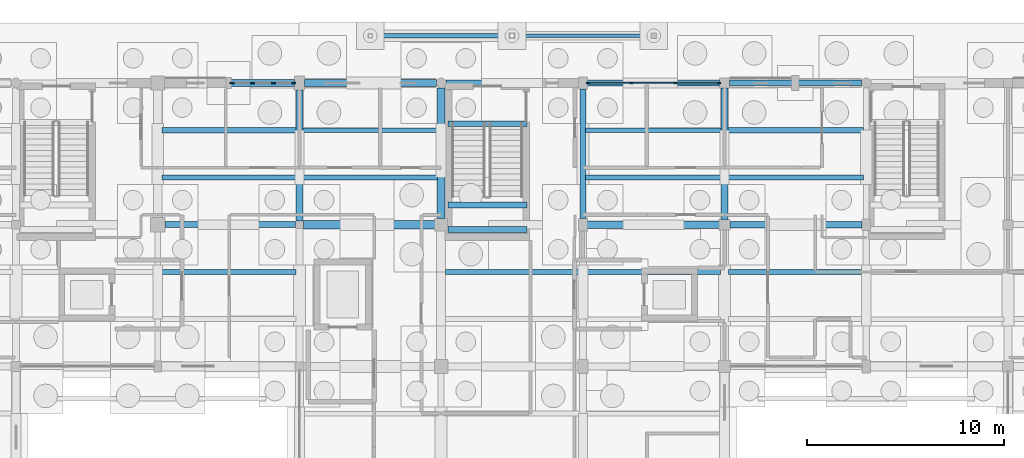
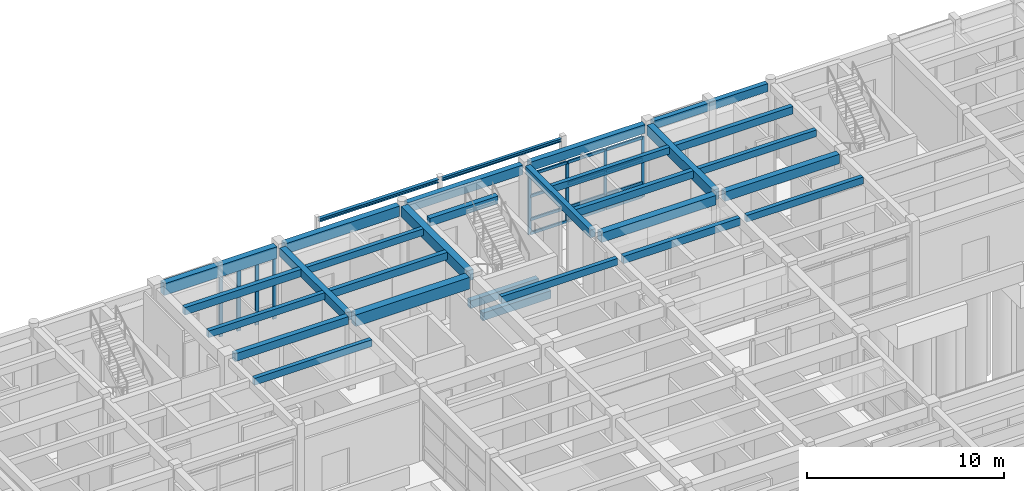
# One storey, part 70 of 143: 30 beams, 20 members, 2 elements without a shape of their own.
"""IFC4 building model written with IfcOpenShell, lengths in metres."""

from ifc_helpers import new_model, si_unit, direction, frame, origin, origin_2d, place, context, subcontext, project, spatial, rectangle, i_section, extrude, material, material_profile, profile_set, type_object, element, aggregate, save


model = new_model("IFC4")

# Units and contexts
model_context = context("Model", 3, precision=1e-05, world=origin(), true_north=direction((0.0, 1.0)))
body_context = subcontext(model_context, "Body", "Model", "MODEL_VIEW")
ifc_project = project(units=[si_unit("LENGTHUNIT", "METRE"), si_unit("AREAUNIT", "SQUARE_METRE"), si_unit("VOLUMEUNIT", "CUBIC_METRE"), si_unit("PLANEANGLEUNIT", "RADIAN"), si_unit("MASSUNIT", "GRAM", prefix="KILO")], contexts=[model_context])

# Site, building, storey
site_placement = place(None, origin())
site = spatial("IfcSite", under=ifc_project, at=site_placement, CompositionType="ELEMENT")
building_placement = place(site_placement, origin())
building = spatial("IfcBuilding", under=site, at=building_placement, Name="Steenspoor Specialist Clinic", CompositionType="ELEMENT")
storey_placement = place(building_placement, origin())
storey = spatial("IfcBuildingStorey", under=building, at=storey_placement, Name="L00", CompositionType="ELEMENT", Elevation=0.0)

# Beams
ifc_material_1 = material(Name="Concrete C35/45", Category="concrete")
ifc_material_profile_1 = material_profile(ifc_material_1, rectangle(XDim=0.300048828125, YDim=0.47998046875, at=origin_2d()), Name="RC-BM-300X480")
ifc_profile_set_1 = profile_set([ifc_material_profile_1], Name="Concrete C35/45")
beam_type_1 = type_object("IfcBeamType", Name="BM-RC-300X480", PredefinedType="BEAM", material=ifc_profile_set_1)
for number, where, z_axis, x_axis, name in (
    (1, (81.550048828125, 102.14990234375, 1.9599609375), (1.0, 0.0, 0.0), (0.0, 1.0, 0.0), "Stair Mid-Landing Bearer 1 ST-V4C L00"),
    (2, (81.550048828125, 100.89990234375, 1.9599609375), (1.0, 0.0, 0.0), (0.0, 1.0, 0.0), "Stair Mid-Landing Bearer 2 ST-V4C L00"),
    (3, (81.550048828125, 106.280029296875, 4.56005859375), (1.0, 0.0, 0.0), (0.0, 1.0, 0.0), "Stair Well Trimmer Beam ST-V4C L00"),
):
    element("IfcBeam", number, at=place(storey_placement, frame(where, z_axis=z_axis, x_axis=x_axis)), inside=storey, type_object=beam_type_1, Name=name, PredefinedType="BEAM", context=body_context, shape_type="SweptSolid", body=[
        extrude(rectangle(XDim=0.300048828125, YDim=0.47998046875, at=origin_2d()), origin(), (0.0, 0.0, 1.0), 4.0),
    ])
beam_1_placement = place(storey_placement, frame((67.169921875, 101.14990234375, 4.31005859375), z_axis=(1.0, 0.0, 0.0), x_axis=(0.0, 1.0, 0.0)))
element("IfcBeam", 4, at=beam_1_placement, inside=storey, type_object=beam_type_1, Name="BM-V4-L00-X0327", PredefinedType="BEAM", context=body_context, shape_type="SweptSolid", body=[
    extrude(rectangle(XDim=0.300048828125, YDim=0.47998046875, at=origin_2d()), origin(), (0.0, 0.0, 1.0), 6.635009765625),
])
beam_2_placement = place(storey_placement, frame((88.39990234375, 101.469970703125, 4.31005859375), z_axis=(0.0, 1.0, 0.0), x_axis=(-1.0, 0.0, 0.0)))
element("IfcBeam", 5, at=beam_2_placement, inside=storey, type_object=beam_type_1, Name="BM-V4-L00-Y0374", PredefinedType="BEAM", context=body_context, shape_type="SweptSolid", body=[
    extrude(rectangle(XDim=0.300048828125, YDim=0.47998046875, at=origin_2d()), origin(), (0.0, 0.0, 1.0), 6.5849609375),
])
ifc_material_profile_2 = material_profile(ifc_material_1, rectangle(XDim=0.35009765625, YDim=0.52001953125, at=origin_2d()), Name="RC-BM-350X520")
ifc_profile_set_2 = profile_set([ifc_material_profile_2], Name="Concrete C35/45")
beam_type_2 = type_object("IfcBeamType", Name="BM-RC-350X520", PredefinedType="BEAM", material=ifc_profile_set_2)
beam_3_placement = place(storey_placement, frame((74.0, 101.344970703125, 4.2900390625), z_axis=(0.0, 1.0, 0.0), x_axis=(-1.0, 0.0, 0.0)))
element("IfcBeam", 6, at=beam_3_placement, inside=storey, type_object=beam_type_2, Name="BM-V4-L00-Y0362", PredefinedType="BEAM", context=body_context, shape_type="SweptSolid", body=[
    extrude(rectangle(XDim=0.35009765625, YDim=0.52001953125, at=origin_2d()), origin(), (0.0, 0.0, 1.0), 6.659912109375),
])
ifc_material_profile_3 = material_profile(ifc_material_1, rectangle(XDim=0.35009765625, YDim=0.580078125, at=origin_2d()), Name="RC-BM-350X580")
ifc_profile_set_3 = profile_set([ifc_material_profile_3], Name="Concrete C35/45")
beam_type_3 = type_object("IfcBeamType", Name="BM-RC-350X580", PredefinedType="BEAM", material=ifc_profile_set_3)
beam_4_placement = place(storey_placement, frame((95.8701171875, 101.14990234375, 4.260009765625), z_axis=(1.0, 0.0, 0.0), x_axis=(0.0, 1.0, 0.0)))
element("IfcBeam", 7, at=beam_4_placement, inside=storey, type_object=beam_type_3, Name="BM-V4-L00-X0330", PredefinedType="BEAM", context=body_context, shape_type="SweptSolid", body=[
    extrude(rectangle(XDim=0.35009765625, YDim=0.580078125, at=origin_2d()), origin(), (0.0, 0.0, 1.0), 6.7099609375),
])
ifc_material_profile_4 = material_profile(ifc_material_1, rectangle(XDim=0.35009765625, YDim=0.64990234375, at=origin_2d()), Name="RC-BM-350X650")
ifc_profile_set_4 = profile_set([ifc_material_profile_4], Name="Concrete C35/45")
beam_type_4 = type_object("IfcBeamType", Name="BM-RC-350X650", PredefinedType="BEAM", material=ifc_profile_set_4)
beam_5_placement = place(storey_placement, frame((95.60009765625, 101.419921875, 4.22509765625), z_axis=(0.0, 1.0, 0.0), x_axis=(-1.0, 0.0, 0.0)))
element("IfcBeam", 8, at=beam_5_placement, inside=storey, type_object=beam_type_4, Name="BM-V4-L00-Y0380", PredefinedType="BEAM", context=body_context, shape_type="SweptSolid", body=[
    extrude(rectangle(XDim=0.35009765625, YDim=0.64990234375, at=origin_2d()), origin(), (0.0, 0.0, 1.0), 6.68505859375),
])
ifc_material_profile_5 = material_profile(ifc_material_1, rectangle(XDim=0.39990234375, YDim=0.580078125, at=origin_2d()), Name="RC-BM-400X580")
ifc_profile_set_5 = profile_set([ifc_material_profile_5], Name="Concrete C35/45")
beam_type_5 = type_object("IfcBeamType", Name="BM-RC-400X580", PredefinedType="BEAM", material=ifc_profile_set_5)
beam_6_placement = place(storey_placement, frame((88.6201171875, 101.14990234375, 4.260009765625), z_axis=(1.0, 0.0, 0.0), x_axis=(0.0, 1.0, 0.0)))
element("IfcBeam", 9, at=beam_6_placement, inside=storey, type_object=beam_type_5, Name="BM-V4-L00-X0329", PredefinedType="BEAM", context=body_context, shape_type="SweptSolid", body=[
    extrude(rectangle(XDim=0.39990234375, YDim=0.580078125, at=origin_2d()), origin(), (0.0, 0.0, 1.0), 6.7099609375),
])
ifc_material_profile_6 = material_profile(ifc_material_1, rectangle(XDim=0.39990234375, YDim=0.64990234375, at=origin_2d()), Name="RC-BM-400X650")
ifc_profile_set_6 = profile_set([ifc_material_profile_6], Name="Concrete C35/45")
beam_type_6 = type_object("IfcBeamType", Name="BM-RC-400X650", PredefinedType="BEAM", material=ifc_profile_set_6)
beam_7_placement = place(storey_placement, frame((81.199951171875, 101.469970703125, 4.22509765625), z_axis=(0.0, 1.0, 0.0), x_axis=(-1.0, 0.0, 0.0)))
element("IfcBeam", 10, at=beam_7_placement, inside=storey, type_object=beam_type_6, Name="BM-V4-L00-Y0368", PredefinedType="BEAM", context=body_context, shape_type="SweptSolid", body=[
    extrude(rectangle(XDim=0.39990234375, YDim=0.64990234375, at=origin_2d()), origin(), (0.0, 0.0, 1.0), 6.635009765625),
])
ifc_material_profile_7 = material_profile(ifc_material_1, rectangle(XDim=0.449951171875, YDim=0.719970703125, at=origin_2d()), Name="RC-BM-450X720")
ifc_profile_set_7 = profile_set([ifc_material_profile_7], Name="Concrete C35/45")
beam_type_7 = type_object("IfcBeamType", Name="BM-RC-450X720", PredefinedType="BEAM", material=ifc_profile_set_7)
beam_8_placement = place(storey_placement, frame((74.195068359375, 101.14990234375, 4.18994140625), z_axis=(1.0, 0.0, 0.0), x_axis=(0.0, 1.0, 0.0)))
element("IfcBeam", 11, at=beam_8_placement, inside=storey, type_object=beam_type_7, Name="BM-V4-L00-X0328", PredefinedType="BEAM", context=body_context, shape_type="SweptSolid", body=[
    extrude(rectangle(XDim=0.449951171875, YDim=0.719970703125, at=origin_2d()), origin(), (0.0, 0.0, 1.0), 6.684814453125),
])
ifc_material_2 = material(Name="Steel A992 Grade 50", Category="steel")
ifc_material_profile_8 = material_profile(ifc_material_2, i_section(OverallWidth=0.1650390625, OverallDepth=0.200927734375, WebThickness=0.006103515625, FlangeThickness=0.01025390625, at=origin_2d()), Name="W200X36")
ifc_profile_set_8 = profile_set([ifc_material_profile_8], Name="Steel A992 Grade 50")
beam_type_8 = type_object("IfcBeamType", Name="BM-ST-W200X36", PredefinedType="JOIST", material=ifc_profile_set_8)
beam_9_placement = place(storey_placement, frame((84.89990234375, 110.75, 3.284423828125), z_axis=(1.0, 0.0, 0.0), x_axis=(0.0, 1.0, 0.0)))
element("IfcBeam", 12, at=beam_9_placement, inside=storey, type_object=beam_type_8, Name="BM-PORCH-NORTH-06", PredefinedType="JOIST", context=body_context, shape_type="SweptSolid", body=[
    extrude(i_section(OverallWidth=0.1650390625, OverallDepth=0.200927734375, WebThickness=0.006103515625, FlangeThickness=0.01025390625, at=origin_2d()), origin(), (0.0, 0.0, 1.0), 7.0),
])
ifc_material_profile_9 = material_profile(ifc_material_2, i_section(OverallWidth=0.2041015625, OverallDepth=0.2060546875, WebThickness=0.0078125, FlangeThickness=0.0126953125, at=origin_2d()), Name="W200X52")
ifc_profile_set_9 = profile_set([ifc_material_profile_9], Name="Steel A992 Grade 50")
beam_type_9 = type_object("IfcBeamType", Name="BM-ST-W200X52", PredefinedType="JOIST", material=ifc_profile_set_9)
beam_10_placement = place(storey_placement, frame((77.699951171875, 110.75, 3.281982421875), z_axis=(1.0, 0.0, 0.0), x_axis=(0.0, 1.0, 0.0)))
element("IfcBeam", 13, at=beam_10_placement, inside=storey, type_object=beam_type_9, Name="BM-PORCH-NORTH-05", PredefinedType="JOIST", context=body_context, shape_type="SweptSolid", body=[
    extrude(i_section(OverallWidth=0.2041015625, OverallDepth=0.2060546875, WebThickness=0.0078125, FlangeThickness=0.0126953125, at=origin_2d()), origin(), (0.0, 0.0, 1.0), 7.0),
])

# Curtain wall, members
ifc_material_3 = material(Name="Thermally broken aluminium and low-emissivity glass", Category="aluminium")
curtain_wall_type_1 = type_object("IfcCurtainWallType", Name="CW-HALL-660X820", PredefinedType="USERDEFINED", material=ifc_material_3)
curtain_wall_1_placement = place(storey_placement, origin())
curtain_wall_1 = element("IfcCurtainWall", 14, at=curtain_wall_1_placement, inside=storey, type_object=curtain_wall_type_1, Name="Unitised Curtain Wall CW-V4-L00-049", ObjectType="UNITISED GLAZING", PredefinedType="USERDEFINED")
ifc_material_4 = material(Name="Thermally broken aluminium 6063-T6", Category="aluminium")
ifc_material_profile_10 = material_profile(ifc_material_4, rectangle(XDim=0.080078125, YDim=0.179931640625, at=origin_2d()), Name="CWM-80X180")
ifc_profile_set_10 = profile_set([ifc_material_profile_10], Name="Thermally broken aluminium 6063-T6")
member_type_1 = type_object("IfcMemberType", Name="CW-MULL-80X180", PredefinedType="MULLION", material=ifc_profile_set_10)
member_1_placement = place(storey_placement, frame((88.6650390625, 108.35009765625, 0.0), z_axis=(0.0, 0.0, 1.0), x_axis=(0.0, 1.0, 0.0)))
member_1 = element("IfcMember", 15, at=member_1_placement, type_object=member_type_1, Name="CW-01 mullion 1", PredefinedType="MULLION", context=body_context, shape_type="SweptSolid", body=[
    extrude(rectangle(XDim=0.080078125, YDim=0.179931640625, at=origin_2d()), origin(), (0.0, 0.0, 1.0), 3.72998046875),
])
member_2_placement = place(storey_placement, frame((90.86669921875, 108.35009765625, 0.0), z_axis=(0.0, 0.0, 1.0), x_axis=(0.0, 1.0, 0.0)))
member_2 = element("IfcMember", 16, at=member_2_placement, type_object=member_type_1, Name="CW-01 mullion 2", PredefinedType="MULLION", context=body_context, shape_type="SweptSolid", body=[
    extrude(rectangle(XDim=0.080078125, YDim=0.179931640625, at=origin_2d()), origin(), (0.0, 0.0, 1.0), 3.72998046875),
])
member_3_placement = place(storey_placement, frame((93.1083984375, 108.35009765625, 0.0), z_axis=(0.0, 0.0, 1.0), x_axis=(0.0, 1.0, 0.0)))
member_3 = element("IfcMember", 17, at=member_3_placement, type_object=member_type_1, Name="CW-01 mullion 3", PredefinedType="MULLION", context=body_context, shape_type="SweptSolid", body=[
    extrude(rectangle(XDim=0.080078125, YDim=0.179931640625, at=origin_2d()), origin(), (0.0, 0.0, 1.0), 3.72998046875),
])
member_4_placement = place(storey_placement, frame((95.31005859375, 108.35009765625, 0.0), z_axis=(0.0, 0.0, 1.0), x_axis=(0.0, 1.0, 0.0)))
member_4 = element("IfcMember", 18, at=member_4_placement, type_object=member_type_1, Name="CW-01 mullion 4", PredefinedType="MULLION", context=body_context, shape_type="SweptSolid", body=[
    extrude(rectangle(XDim=0.080078125, YDim=0.179931640625, at=origin_2d()), origin(), (0.0, 0.0, 1.0), 3.72998046875),
])

curtain_wall_type_2 = type_object("IfcCurtainWallType", Name="CW-STR-220X415", PredefinedType="USERDEFINED", material=ifc_material_3)
curtain_wall_2_placement = place(storey_placement, origin())
curtain_wall_2 = element("IfcCurtainWall", 19, at=curtain_wall_2_placement, inside=storey, type_object=curtain_wall_type_2, Name="Unitised Curtain Wall CW-V4-L00-048", ObjectType="UNITISED GLAZING", PredefinedType="USERDEFINED")
ifc_material_profile_11 = material_profile(ifc_material_4, rectangle(XDim=0.080078125, YDim=0.219970703125, at=origin_2d()), Name="CWM-80X220")
ifc_profile_set_11 = profile_set([ifc_material_profile_11], Name="Thermally broken aluminium 6063-T6")
member_type_2 = type_object("IfcMemberType", Name="CW-MULL-80X220", PredefinedType="MULLION", material=ifc_profile_set_11)
member_5_placement = place(storey_placement, frame((70.580078125, 108.35009765625, 0.0), z_axis=(0.0, 0.0, 1.0), x_axis=(0.0, 1.0, 0.0)))
member_5 = element("IfcMember", 20, at=member_5_placement, type_object=member_type_2, Name="CW-24 mullion 1", PredefinedType="MULLION", context=body_context, shape_type="SweptSolid", body=[
    extrude(rectangle(XDim=0.080078125, YDim=0.219970703125, at=origin_2d()), origin(), (0.0, 0.0, 1.0), 3.72998046875),
])
member_6_placement = place(storey_placement, frame((71.610107421875, 108.35009765625, 0.0), z_axis=(0.0, 0.0, 1.0), x_axis=(0.0, 1.0, 0.0)))
member_6 = element("IfcMember", 21, at=member_6_placement, type_object=member_type_2, Name="CW-24 mullion 2", PredefinedType="MULLION", context=body_context, shape_type="SweptSolid", body=[
    extrude(rectangle(XDim=0.080078125, YDim=0.219970703125, at=origin_2d()), origin(), (0.0, 0.0, 1.0), 3.72998046875),
])
member_7_placement = place(storey_placement, frame((72.679931640625, 108.35009765625, 0.0), z_axis=(0.0, 0.0, 1.0), x_axis=(0.0, 1.0, 0.0)))
member_7 = element("IfcMember", 22, at=member_7_placement, type_object=member_type_2, Name="CW-24 mullion 3", PredefinedType="MULLION", context=body_context, shape_type="SweptSolid", body=[
    extrude(rectangle(XDim=0.080078125, YDim=0.219970703125, at=origin_2d()), origin(), (0.0, 0.0, 1.0), 3.72998046875),
])
member_8_placement = place(storey_placement, frame((73.7099609375, 108.35009765625, 0.0), z_axis=(0.0, 0.0, 1.0), x_axis=(0.0, 1.0, 0.0)))
member_8 = element("IfcMember", 23, at=member_8_placement, type_object=member_type_2, Name="CW-24 mullion 4", PredefinedType="MULLION", context=body_context, shape_type="SweptSolid", body=[
    extrude(rectangle(XDim=0.080078125, YDim=0.219970703125, at=origin_2d()), origin(), (0.0, 0.0, 1.0), 3.72998046875),
])
aggregate(curtain_wall_2, [member_5, member_6, member_7, member_8])

# Member
ifc_material_profile_12 = material_profile(ifc_material_4, rectangle(XDim=0.090087890625, YDim=0.175048828125, at=origin_2d()), Name="CWT-90X175")
ifc_profile_set_12 = profile_set([ifc_material_profile_12], Name="Thermally broken aluminium 6063-T6")
member_type_3 = type_object("IfcMemberType", Name="CW-TRAN-90X175", PredefinedType="USERDEFINED", material=ifc_profile_set_12)
member_9_placement = place(storey_placement, frame((88.705078125, 108.35009765625, 0.044921875), z_axis=(1.0, 0.0, 0.0), x_axis=(0.0, 1.0, 0.0)))
member_9 = element("IfcMember", 24, at=member_9_placement, type_object=member_type_3, Name="CW-01 transom 1.1", ObjectType="TRANSOM", PredefinedType="USERDEFINED", context=body_context, shape_type="SweptSolid", body=[
    extrude(rectangle(XDim=0.090087890625, YDim=0.175048828125, at=origin_2d()), origin(), (0.0, 0.0, 1.0), 2.12158203125),
])

member_10_placement = place(storey_placement, frame((88.705078125, 108.35009765625, 0.89990234375), z_axis=(1.0, 0.0, 0.0), x_axis=(0.0, 1.0, 0.0)))
member_10 = element("IfcMember", 25, at=member_10_placement, type_object=member_type_3, Name="CW-01 transom 1.2", ObjectType="TRANSOM", PredefinedType="USERDEFINED", context=body_context, shape_type="SweptSolid", body=[
    extrude(rectangle(XDim=0.090087890625, YDim=0.175048828125, at=origin_2d()), origin(), (0.0, 0.0, 1.0), 2.12158203125),
])

member_11_placement = place(storey_placement, frame((88.705078125, 108.35009765625, 2.35009765625), z_axis=(1.0, 0.0, 0.0), x_axis=(0.0, 1.0, 0.0)))
member_11 = element("IfcMember", 26, at=member_11_placement, type_object=member_type_3, Name="CW-01 transom 1.3", ObjectType="TRANSOM", PredefinedType="USERDEFINED", context=body_context, shape_type="SweptSolid", body=[
    extrude(rectangle(XDim=0.090087890625, YDim=0.175048828125, at=origin_2d()), origin(), (0.0, 0.0, 1.0), 2.12158203125),
])

member_12_placement = place(storey_placement, frame((88.705078125, 108.35009765625, 3.68505859375), z_axis=(1.0, 0.0, 0.0), x_axis=(0.0, 1.0, 0.0)))
member_12 = element("IfcMember", 27, at=member_12_placement, type_object=member_type_3, Name="CW-01 transom 1.4", ObjectType="TRANSOM", PredefinedType="USERDEFINED", context=body_context, shape_type="SweptSolid", body=[
    extrude(rectangle(XDim=0.090087890625, YDim=0.175048828125, at=origin_2d()), origin(), (0.0, 0.0, 1.0), 2.12158203125),
])

member_13_placement = place(storey_placement, frame((90.90673828125, 108.35009765625, 0.044921875), z_axis=(1.0, 0.0, 0.0), x_axis=(0.0, 1.0, 0.0)))
member_13 = element("IfcMember", 28, at=member_13_placement, type_object=member_type_3, Name="CW-01 transom 2.1", ObjectType="TRANSOM", PredefinedType="USERDEFINED", context=body_context, shape_type="SweptSolid", body=[
    extrude(rectangle(XDim=0.090087890625, YDim=0.175048828125, at=origin_2d()), origin(), (0.0, 0.0, 1.0), 2.16162109375),
])

member_14_placement = place(storey_placement, frame((90.90673828125, 108.35009765625, 0.89990234375), z_axis=(1.0, 0.0, 0.0), x_axis=(0.0, 1.0, 0.0)))
member_14 = element("IfcMember", 29, at=member_14_placement, type_object=member_type_3, Name="CW-01 transom 2.2", ObjectType="TRANSOM", PredefinedType="USERDEFINED", context=body_context, shape_type="SweptSolid", body=[
    extrude(rectangle(XDim=0.090087890625, YDim=0.175048828125, at=origin_2d()), origin(), (0.0, 0.0, 1.0), 2.16162109375),
])

member_15_placement = place(storey_placement, frame((90.90673828125, 108.35009765625, 2.35009765625), z_axis=(1.0, 0.0, 0.0), x_axis=(0.0, 1.0, 0.0)))
member_15 = element("IfcMember", 30, at=member_15_placement, type_object=member_type_3, Name="CW-01 transom 2.3", ObjectType="TRANSOM", PredefinedType="USERDEFINED", context=body_context, shape_type="SweptSolid", body=[
    extrude(rectangle(XDim=0.090087890625, YDim=0.175048828125, at=origin_2d()), origin(), (0.0, 0.0, 1.0), 2.16162109375),
])

member_16_placement = place(storey_placement, frame((90.90673828125, 108.35009765625, 3.68505859375), z_axis=(1.0, 0.0, 0.0), x_axis=(0.0, 1.0, 0.0)))
member_16 = element("IfcMember", 31, at=member_16_placement, type_object=member_type_3, Name="CW-01 transom 2.4", ObjectType="TRANSOM", PredefinedType="USERDEFINED", context=body_context, shape_type="SweptSolid", body=[
    extrude(rectangle(XDim=0.090087890625, YDim=0.175048828125, at=origin_2d()), origin(), (0.0, 0.0, 1.0), 2.16162109375),
])

member_17_placement = place(storey_placement, frame((93.1484375, 108.35009765625, 0.044921875), z_axis=(1.0, 0.0, 0.0), x_axis=(0.0, 1.0, 0.0)))
member_17 = element("IfcMember", 32, at=member_17_placement, type_object=member_type_3, Name="CW-01 transom 3.1", ObjectType="TRANSOM", PredefinedType="USERDEFINED", context=body_context, shape_type="SweptSolid", body=[
    extrude(rectangle(XDim=0.090087890625, YDim=0.175048828125, at=origin_2d()), origin(), (0.0, 0.0, 1.0), 2.12158203125),
])

member_18_placement = place(storey_placement, frame((93.1484375, 108.35009765625, 0.89990234375), z_axis=(1.0, 0.0, 0.0), x_axis=(0.0, 1.0, 0.0)))
member_18 = element("IfcMember", 33, at=member_18_placement, type_object=member_type_3, Name="CW-01 transom 3.2", ObjectType="TRANSOM", PredefinedType="USERDEFINED", context=body_context, shape_type="SweptSolid", body=[
    extrude(rectangle(XDim=0.090087890625, YDim=0.175048828125, at=origin_2d()), origin(), (0.0, 0.0, 1.0), 2.12158203125),
])

member_19_placement = place(storey_placement, frame((93.1484375, 108.35009765625, 2.35009765625), z_axis=(1.0, 0.0, 0.0), x_axis=(0.0, 1.0, 0.0)))
member_19 = element("IfcMember", 34, at=member_19_placement, type_object=member_type_3, Name="CW-01 transom 3.3", ObjectType="TRANSOM", PredefinedType="USERDEFINED", context=body_context, shape_type="SweptSolid", body=[
    extrude(rectangle(XDim=0.090087890625, YDim=0.175048828125, at=origin_2d()), origin(), (0.0, 0.0, 1.0), 2.12158203125),
])

member_20_placement = place(storey_placement, frame((93.1484375, 108.35009765625, 3.68505859375), z_axis=(1.0, 0.0, 0.0), x_axis=(0.0, 1.0, 0.0)))
member_20 = element("IfcMember", 35, at=member_20_placement, type_object=member_type_3, Name="CW-01 transom 3.4", ObjectType="TRANSOM", PredefinedType="USERDEFINED", context=body_context, shape_type="SweptSolid", body=[
    extrude(rectangle(XDim=0.090087890625, YDim=0.175048828125, at=origin_2d()), origin(), (0.0, 0.0, 1.0), 2.12158203125),
])

aggregate(curtain_wall_1, [member_1, member_2, member_3, member_4, member_9, member_10, member_11, member_12, member_13, member_14, member_15, member_16, member_17, member_18, member_19, member_20])

# Beams
ifc_material_profile_13 = material_profile(ifc_material_1, rectangle(XDim=0.239990234375, YDim=0.419921875, at=origin_2d()), Name="RC-JT-240X420")
ifc_profile_set_13 = profile_set([ifc_material_profile_13], Name="Concrete C35/45")
beam_type_10 = type_object("IfcBeamType", Name="JT-RC-240X420", PredefinedType="JOIST", material=ifc_profile_set_13)
beam_11_placement = place(storey_placement, frame((66.945068359375, 98.75, 4.340087890625), z_axis=(1.0, 0.0, 0.0), x_axis=(0.0, 1.0, 0.0)))
element("IfcBeam", 36, at=beam_11_placement, inside=storey, type_object=beam_type_10, Name="JT-V4-L00-0416", PredefinedType="JOIST", context=body_context, shape_type="SweptSolid", body=[
    extrude(rectangle(XDim=0.239990234375, YDim=0.419921875, at=origin_2d()), origin(), (0.0, 0.0, 1.0), 6.885009765625),
])
beam_12_placement = place(storey_placement, frame((67.02001953125, 103.550048828125, 4.340087890625), z_axis=(1.0, 0.0, 0.0), x_axis=(0.0, 1.0, 0.0)))
element("IfcBeam", 37, at=beam_12_placement, inside=storey, type_object=beam_type_10, Name="JT-V4-L00-0417", PredefinedType="JOIST", context=body_context, shape_type="SweptSolid", body=[
    extrude(rectangle(XDim=0.239990234375, YDim=0.419921875, at=origin_2d()), origin(), (0.0, 0.0, 1.0), 6.81005859375),
])
beam_13_placement = place(storey_placement, frame((74.169921875, 105.949951171875, 4.340087890625), z_axis=(1.0, 0.0, 0.0), x_axis=(0.0, 1.0, 0.0)))
element("IfcBeam", 38, at=beam_13_placement, inside=storey, type_object=beam_type_10, Name="JT-V4-L00-0428", PredefinedType="JOIST", context=body_context, shape_type="SweptSolid", body=[
    extrude(rectangle(XDim=0.239990234375, YDim=0.419921875, at=origin_2d()), origin(), (0.0, 0.0, 1.0), 6.8349609375),
])
beam_14_placement = place(storey_placement, frame((81.419921875, 98.75, 4.340087890625), z_axis=(1.0, 0.0, 0.0), x_axis=(0.0, 1.0, 0.0)))
element("IfcBeam", 39, at=beam_14_placement, inside=storey, type_object=beam_type_10, Name="JT-V4-L00-0436", PredefinedType="JOIST", context=body_context, shape_type="SweptSolid", body=[
    extrude(rectangle(XDim=0.239990234375, YDim=0.419921875, at=origin_2d()), origin(), (0.0, 0.0, 1.0), 6.81005859375),
])
beam_15_placement = place(storey_placement, frame((88.544921875, 105.949951171875, 4.340087890625), z_axis=(1.0, 0.0, 0.0), x_axis=(0.0, 1.0, 0.0)))
element("IfcBeam", 40, at=beam_15_placement, inside=storey, type_object=beam_type_10, Name="JT-V4-L00-0448", PredefinedType="JOIST", context=body_context, shape_type="SweptSolid", body=[
    extrude(rectangle(XDim=0.239990234375, YDim=0.419921875, at=origin_2d()), origin(), (0.0, 0.0, 1.0), 6.885009765625),
])
beam_16_placement = place(storey_placement, frame((95.794921875, 98.75, 4.340087890625), z_axis=(1.0, 0.0, 0.0), x_axis=(0.0, 1.0, 0.0)))
element("IfcBeam", 41, at=beam_16_placement, inside=storey, type_object=beam_type_10, Name="JT-V4-L00-0454", PredefinedType="JOIST", context=body_context, shape_type="SweptSolid", body=[
    extrude(rectangle(XDim=0.239990234375, YDim=0.419921875, at=origin_2d()), origin(), (0.0, 0.0, 1.0), 6.8349609375),
])
beam_17_placement = place(storey_placement, frame((95.77001953125, 103.550048828125, 4.340087890625), z_axis=(1.0, 0.0, 0.0), x_axis=(0.0, 1.0, 0.0)))
element("IfcBeam", 42, at=beam_17_placement, inside=storey, type_object=beam_type_10, Name="JT-V4-L00-0455", PredefinedType="JOIST", context=body_context, shape_type="SweptSolid", body=[
    extrude(rectangle(XDim=0.239990234375, YDim=0.419921875, at=origin_2d()), origin(), (0.0, 0.0, 1.0), 6.885009765625),
])
ifc_material_profile_14 = material_profile(ifc_material_1, rectangle(XDim=0.260009765625, YDim=0.4599609375, at=origin_2d()), Name="RC-JT-260X460")
ifc_profile_set_14 = profile_set([ifc_material_profile_14], Name="Concrete C35/45")
beam_type_11 = type_object("IfcBeamType", Name="JT-RC-260X460", PredefinedType="JOIST", material=ifc_profile_set_14)
beam_18_placement = place(storey_placement, frame((67.02001953125, 105.949951171875, 4.320068359375), z_axis=(1.0, 0.0, 0.0), x_axis=(0.0, 1.0, 0.0)))
element("IfcBeam", 43, at=beam_18_placement, inside=storey, type_object=beam_type_11, Name="JT-V4-L00-0418", PredefinedType="JOIST", context=body_context, shape_type="SweptSolid", body=[
    extrude(rectangle(XDim=0.260009765625, YDim=0.4599609375, at=origin_2d()), origin(), (0.0, 0.0, 1.0), 6.81005859375),
])
for number, where, z_axis, x_axis, name in (
    (44, (74.169921875, 103.550048828125, 4.320068359375), (1.0, 0.0, 0.0), (0.0, 1.0, 0.0), "JT-V4-L00-0427"),
    (45, (88.570068359375, 98.75, 4.320068359375), (1.0, 0.0, 0.0), (0.0, 1.0, 0.0), "JT-V4-L00-0446"),
):
    element("IfcBeam", number, at=place(storey_placement, frame(where, z_axis=z_axis, x_axis=x_axis)), inside=storey, type_object=beam_type_11, Name=name, PredefinedType="JOIST", context=body_context, shape_type="SweptSolid", body=[
        extrude(rectangle(XDim=0.260009765625, YDim=0.4599609375, at=origin_2d()), origin(), (0.0, 0.0, 1.0), 6.8349609375),
    ])
for number, where, z_axis, x_axis, name in (
    (46, (88.544921875, 103.550048828125, 4.320068359375), (1.0, 0.0, 0.0), (0.0, 1.0, 0.0), "JT-V4-L00-0447"),
    (47, (95.77001953125, 105.949951171875, 4.320068359375), (1.0, 0.0, 0.0), (0.0, 1.0, 0.0), "JT-V4-L00-0456"),
):
    element("IfcBeam", number, at=place(storey_placement, frame(where, z_axis=z_axis, x_axis=x_axis)), inside=storey, type_object=beam_type_11, Name=name, PredefinedType="JOIST", context=body_context, shape_type="SweptSolid", body=[
        extrude(rectangle(XDim=0.260009765625, YDim=0.4599609375, at=origin_2d()), origin(), (0.0, 0.0, 1.0), 6.885009765625),
    ])
ifc_material_profile_15 = material_profile(ifc_material_1, rectangle(XDim=0.280029296875, YDim=0.5, at=origin_2d()), Name="RC-SP-280X500")
ifc_profile_set_15 = profile_set([ifc_material_profile_15], Name="Concrete C35/45")
beam_type_12 = type_object("IfcBeamType", Name="SP-RC-280X500", PredefinedType="SPANDREL", material=ifc_profile_set_15)
beam_19_placement = place(storey_placement, frame((95.844970703125, 108.35009765625, 4.300048828125), z_axis=(1.0, 0.0, 0.0), x_axis=(0.0, 1.0, 0.0)))
element("IfcBeam", 48, at=beam_19_placement, inside=storey, type_object=beam_type_12, Name="BM-V4-L00-X0338", PredefinedType="SPANDREL", context=body_context, shape_type="SweptSolid", body=[
    extrude(rectangle(XDim=0.280029296875, YDim=0.5, at=origin_2d()), origin(), (0.0, 0.0, 1.0), 6.7099609375),
])
ifc_material_profile_16 = material_profile(ifc_material_1, rectangle(XDim=0.320068359375, YDim=0.5400390625, at=origin_2d()), Name="RC-SP-320X540")
ifc_profile_set_16 = profile_set([ifc_material_profile_16], Name="Concrete C35/45")
beam_type_13 = type_object("IfcBeamType", Name="SP-RC-320X540", PredefinedType="SPANDREL", material=ifc_profile_set_16)
beam_20_placement = place(storey_placement, frame((88.6201171875, 108.35009765625, 4.280029296875), z_axis=(1.0, 0.0, 0.0), x_axis=(0.0, 1.0, 0.0)))
element("IfcBeam", 49, at=beam_20_placement, inside=storey, type_object=beam_type_13, Name="BM-V4-L00-X0337", PredefinedType="SPANDREL", context=body_context, shape_type="SweptSolid", body=[
    extrude(rectangle(XDim=0.320068359375, YDim=0.5400390625, at=origin_2d()), origin(), (0.0, 0.0, 1.0), 6.73486328125),
])
ifc_material_profile_17 = material_profile(ifc_material_1, rectangle(XDim=0.320068359375, YDim=0.60009765625, at=origin_2d()), Name="RC-SP-320X600")
ifc_profile_set_17 = profile_set([ifc_material_profile_17], Name="Concrete C35/45")
beam_type_14 = type_object("IfcBeamType", Name="SP-RC-320X600", PredefinedType="SPANDREL", material=ifc_profile_set_17)
beam_21_placement = place(storey_placement, frame((81.445068359375, 108.35009765625, 4.25), z_axis=(1.0, 0.0, 0.0), x_axis=(0.0, 1.0, 0.0)))
element("IfcBeam", 50, at=beam_21_placement, inside=storey, type_object=beam_type_14, Name="BM-V4-L00-X0336", PredefinedType="SPANDREL", context=body_context, shape_type="SweptSolid", body=[
    extrude(rectangle(XDim=0.320068359375, YDim=0.60009765625, at=origin_2d()), origin(), (0.0, 0.0, 1.0), 6.73486328125),
])
ifc_material_profile_18 = material_profile(ifc_material_1, rectangle(XDim=0.360107421875, YDim=0.639892578125, at=origin_2d()), Name="RC-SP-360X640")
ifc_profile_set_18 = profile_set([ifc_material_profile_18], Name="Concrete C35/45")
beam_type_15 = type_object("IfcBeamType", Name="SP-RC-360X640", PredefinedType="SPANDREL", material=ifc_profile_set_18)
beam_22_placement = place(storey_placement, frame((74.2451171875, 108.35009765625, 4.22998046875), z_axis=(1.0, 0.0, 0.0), x_axis=(0.0, 1.0, 0.0)))
element("IfcBeam", 51, at=beam_22_placement, inside=storey, type_object=beam_type_15, Name="BM-V4-L00-X0335", PredefinedType="SPANDREL", context=body_context, shape_type="SweptSolid", body=[
    extrude(rectangle(XDim=0.360107421875, YDim=0.639892578125, at=origin_2d()), origin(), (0.0, 0.0, 1.0), 6.7099609375),
])
ifc_material_profile_19 = material_profile(ifc_material_1, rectangle(XDim=0.360107421875, YDim=0.719970703125, at=origin_2d()), Name="RC-SP-360X720")
ifc_profile_set_19 = profile_set([ifc_material_profile_19], Name="Concrete C35/45")
beam_type_16 = type_object("IfcBeamType", Name="SP-RC-360X720", PredefinedType="SPANDREL", material=ifc_profile_set_19)
beam_23_placement = place(storey_placement, frame((67.14501953125, 108.35009765625, 4.18994140625), z_axis=(1.0, 0.0, 0.0), x_axis=(0.0, 1.0, 0.0)))
element("IfcBeam", 52, at=beam_23_placement, inside=storey, type_object=beam_type_16, Name="BM-V4-L00-X0334", PredefinedType="SPANDREL", context=body_context, shape_type="SweptSolid", body=[
    extrude(rectangle(XDim=0.360107421875, YDim=0.719970703125, at=origin_2d()), origin(), (0.0, 0.0, 1.0), 6.60986328125),
])

save(model, "model.ifc")
